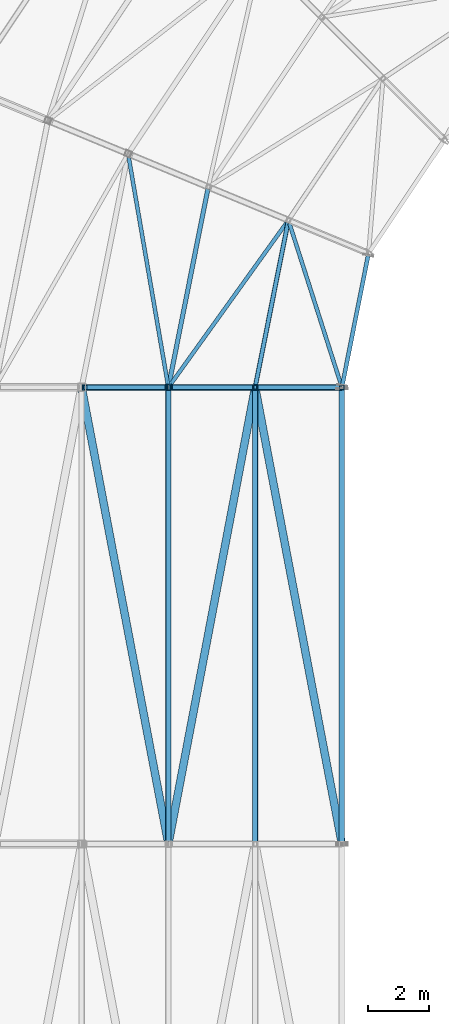
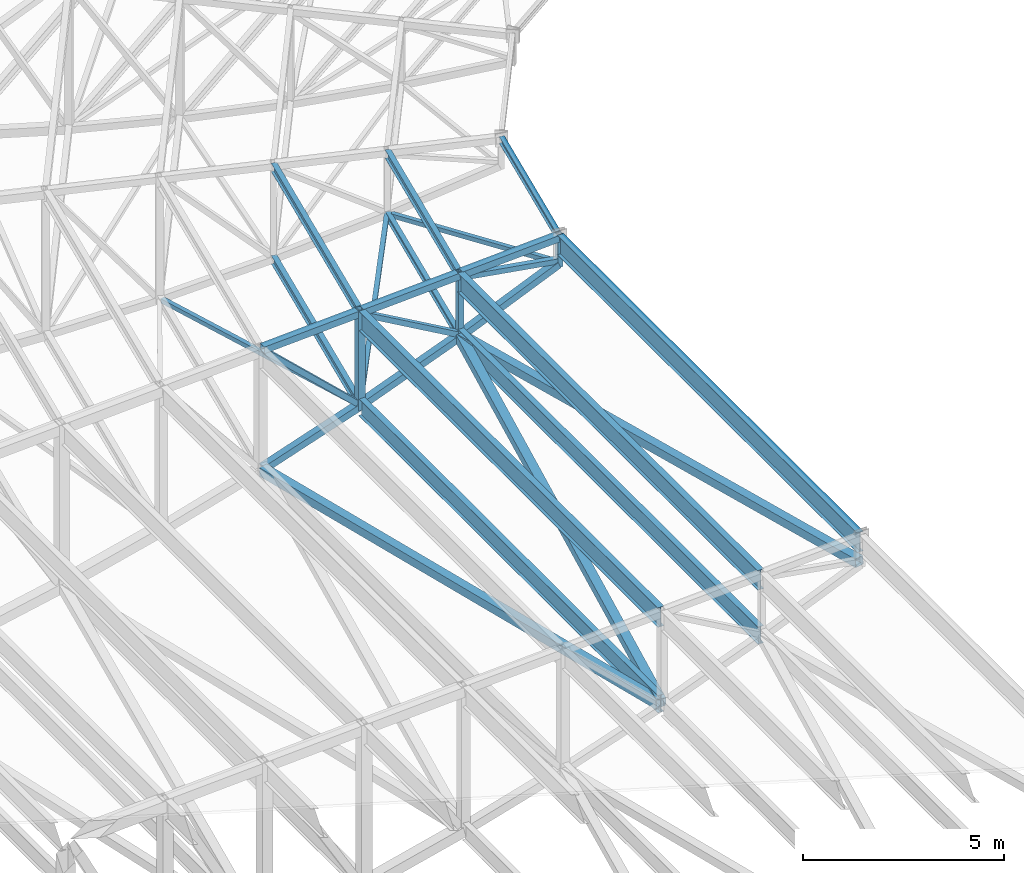
# One storey, part 66 of 278: 19 members, 9 beams.
"""IFC4 building model written with IfcOpenShell, lengths in metres."""

from ifc_helpers import new_model, si_unit, direction, frame, origin, origin_2d, place, context, subcontext, project, spatial, hollow_rectangle, i_section, extrude, material, material_profile, profile_set, type_object, element, save


model = new_model("IFC4")

# Units and contexts
model_context = context("Model", 3, precision=1e-05, world=origin(), true_north=direction((0.0, 1.0)))
body_context = subcontext(model_context, "Body", "Model", "MODEL_VIEW")
ifc_project = project(units=[si_unit("LENGTHUNIT", "METRE"), si_unit("AREAUNIT", "SQUARE_METRE"), si_unit("VOLUMEUNIT", "CUBIC_METRE"), si_unit("PLANEANGLEUNIT", "RADIAN"), si_unit("MASSUNIT", "GRAM", prefix="KILO")], contexts=[model_context])

# Site, building, storey
site_placement = place(None, origin())
site = spatial("IfcSite", under=ifc_project, at=site_placement, CompositionType="ELEMENT")
building_placement = place(site_placement, origin())
building = spatial("IfcBuilding", under=site, at=building_placement, Name="Ogive Plaza Stadium", CompositionType="ELEMENT")
storey_placement = place(building_placement, frame((0.0, 0.0, 29.0)))
storey = spatial("IfcBuildingStorey", under=building, at=storey_placement, Name="Roof", CompositionType="ELEMENT", Elevation=29.0)

# Members
ifc_material_1 = material(Name="Steel ASTM A500 Grade C", Category="steel")
ifc_material_profile_1 = material_profile(ifc_material_1, hollow_rectangle(XDim=0.25390625, YDim=0.25390625, WallThickness=0.0087890625, at=origin_2d()), Name="HSS10X10X3/8")
ifc_profile_set_1 = profile_set([ifc_material_profile_1], Name="Steel ASTM A500 Grade C")
member_type_1 = type_object("IfcMemberType", Name="Roof plan brace HSS10X10X3/8", PredefinedType="BRACE", material=ifc_profile_set_1)
member_1_placement = place(storey_placement, frame((-45.513427734375, 37.5703125, 6.520751953125), z_axis=(-0.1860644689, 0.979300227871, -0.079693645318), x_axis=(-0.982424925297, -0.186658153196, 0.0)))
element("IfcMember", 1, at=member_1_placement, inside=storey, type_object=member_type_1, Name="ROOF BRACE B27 1", PredefinedType="BRACE", context=body_context, shape_type="SweptSolid", body=[
    extrude(hollow_rectangle(XDim=0.25390625, YDim=0.25390625, WallThickness=0.0087890625, at=origin_2d()), origin(), (0.0, 0.0, 1.0), 15.173583984375),
])
member_2_placement = place(storey_placement, frame((-48.36328125, 52.4296875, 5.30078125), z_axis=(-0.18619699352, -0.979917118172, -0.071366106221), x_axis=(0.982422109195, -0.186672974385, 0.0)))
element("IfcMember", 2, at=member_2_placement, inside=storey, type_object=member_type_1, Name="ROOF BRACE B27 2", PredefinedType="BRACE", context=body_context, shape_type="SweptSolid", body=[
    extrude(hollow_rectangle(XDim=0.25390625, YDim=0.25390625, WallThickness=0.0087890625, at=origin_2d()), origin(), (0.0, 0.0, 1.0), 15.1376953125),
])
member_3_placement = place(storey_placement, frame((-51.21826171875, 37.595947265625, 4.20751953125), z_axis=(-0.186305134019, 0.980575459807, -0.061336487198), x_axis=(-0.982425223956, -0.186656581279, 0.0)))
element("IfcMember", 3, at=member_3_placement, inside=storey, type_object=member_type_1, Name="ROOF BRACE B27 3", PredefinedType="BRACE", context=body_context, shape_type="SweptSolid", body=[
    extrude(hollow_rectangle(XDim=0.25390625, YDim=0.25390625, WallThickness=0.0087890625, at=origin_2d()), origin(), (0.0, 0.0, 1.0), 15.1015625),
])
ifc_material_2 = material(Name="Steel ASTM A500 Grade C", Category="steel")
ifc_material_profile_2 = material_profile(ifc_material_2, hollow_rectangle(XDim=0.126953125, YDim=0.126953125, WallThickness=0.005859375, at=origin_2d()), Name="HSS5X5X1/4")
ifc_profile_set_2 = profile_set([ifc_material_profile_2], Name="Steel ASTM A500 Grade C")
member_type_2 = type_object("IfcMemberType", Name="Roof plan brace HSS5X5X1/4", PredefinedType="BRACE", material=ifc_profile_set_2)
member_4_placement = place(storey_placement, frame((-45.521484375, 52.56689453125, 6.51171875), z_axis=(-0.298211703001, 0.931756186308, -0.207123609157), x_axis=(-0.952409392659, -0.304821831197, 0.0)))
element("IfcMember", 4, at=member_4_placement, inside=storey, type_object=member_type_2, Name="ROOF BRACE B28 1", PredefinedType="BRACE", context=body_context, shape_type="SweptSolid", body=[
    extrude(hollow_rectangle(XDim=0.126953125, YDim=0.126953125, WallThickness=0.005859375, at=origin_2d()), origin(), (0.0, 0.0, 1.0), 5.695556640625),
])
member_5_placement = place(storey_placement, frame((-47.29443359375, 57.940185546875, 5.295654296875), z_axis=(-0.575714451742, -0.801941815002, -0.15950609834), x_axis=(0.812342279375, -0.583180950598, 0.0)))
element("IfcMember", 5, at=member_5_placement, inside=storey, type_object=member_type_2, Name="ROOF BRACE B28 2", PredefinedType="BRACE", context=body_context, shape_type="SweptSolid", body=[
    extrude(hollow_rectangle(XDim=0.126953125, YDim=0.126953125, WallThickness=0.005859375, at=origin_2d()), origin(), (0.0, 0.0, 1.0), 6.641357421875),
])
member_6_placement = place(storey_placement, frame((-51.21435546875, 52.582763671875, 4.203125), z_axis=(-0.168729355142, 0.977977485533, -0.122843162221), x_axis=(-0.985441121251, -0.170017047815, 0.0)))
element("IfcMember", 6, at=member_6_placement, inside=storey, type_object=member_type_2, Name="ROOF BRACE B28 3", PredefinedType="BRACE", context=body_context, shape_type="SweptSolid", body=[
    extrude(hollow_rectangle(XDim=0.126953125, YDim=0.126953125, WallThickness=0.005859375, at=origin_2d()), origin(), (0.0, 0.0, 1.0), 7.629638671875),
])
ifc_material_3 = material(Name="Steel ASTM A992 Grade 50", Category="steel")
ifc_material_profile_3 = material_profile(ifc_material_3, i_section(OverallWidth=0.14599609375, OverallDepth=0.25830078125, WebThickness=0.006103515625, FlangeThickness=0.009033203125, at=origin_2d()), Name="W10X22")
ifc_profile_set_3 = profile_set([ifc_material_profile_3], Name="Steel ASTM A992 Grade 50")
member_type_3 = type_object("IfcMemberType", Name="Roof plan strut W10X22", PredefinedType="STRUT", material=ifc_profile_set_3)
member_7_placement = place(storey_placement, frame((-51.182861328125, 52.58642578125, 4.213623046875), z_axis=(0.195099869772, 0.980783381188, 0.0), x_axis=(-0.980783381188, 0.195099869772, 0.0)))
element("IfcMember", 7, at=member_7_placement, inside=storey, type_object=member_type_3, Name="ROOF STRUT B28 2", PredefinedType="STRUT", context=body_context, shape_type="SweptSolid", body=[
    extrude(i_section(OverallWidth=0.14599609375, OverallDepth=0.25830078125, WebThickness=0.006103515625, FlangeThickness=0.009033203125, at=origin_2d()), origin(), (0.0, 0.0, 1.0), 6.560791015625),
])
ifc_material_4 = material(Name="Steel ASTM A992 Grade 50", Category="steel")
ifc_material_profile_4 = material_profile(ifc_material_4, i_section(OverallWidth=0.1650390625, OverallDepth=0.524658203125, WebThickness=0.0087890625, FlangeThickness=0.011474609375, at=origin_2d()), Name="W21X44")
ifc_profile_set_4 = profile_set([ifc_material_profile_4], Name="Steel ASTM A992 Grade 50")
member_type_4 = type_object("IfcMemberType", Name="Roof plan strut W21X44", PredefinedType="STRUT", material=ifc_profile_set_4)
member_8_placement = place(storey_placement, frame((-48.35009765625, 37.546142578125, 5.305908203125), z_axis=(0.0, 1.0, 0.0), x_axis=(-1.0, 0.0, 0.0)))
element("IfcMember", 8, at=member_8_placement, inside=storey, type_object=member_type_4, Name="ROOF STRUT B27 1", PredefinedType="STRUT", context=body_context, shape_type="SweptSolid", body=[
    extrude(i_section(OverallWidth=0.1650390625, OverallDepth=0.524658203125, WebThickness=0.0087890625, FlangeThickness=0.011474609375, at=origin_2d()), origin(), (0.0, 0.0, 1.0), 14.90771484375),
])
member_9_placement = place(storey_placement, frame((-51.199951171875, 37.571533203125, 4.213623046875), z_axis=(0.0, 1.0, 0.0), x_axis=(-1.0, 0.0, 0.0)))
element("IfcMember", 9, at=member_9_placement, inside=storey, type_object=member_type_4, Name="ROOF STRUT B27 2", PredefinedType="STRUT", context=body_context, shape_type="SweptSolid", body=[
    extrude(i_section(OverallWidth=0.1650390625, OverallDepth=0.524658203125, WebThickness=0.0087890625, FlangeThickness=0.011474609375, at=origin_2d()), origin(), (0.0, 0.0, 1.0), 14.85693359375),
])
ifc_material_5 = material(Name="Steel ASTM A992 Grade 50", Category="steel")
ifc_material_profile_5 = material_profile(ifc_material_5, i_section(OverallWidth=0.13330078125, OverallDepth=0.206787109375, WebThickness=0.005859375, FlangeThickness=0.00830078125, at=origin_2d()), Name="W8X18")
ifc_profile_set_5 = profile_set([ifc_material_profile_5], Name="Steel ASTM A992 Grade 50")
member_type_5 = type_object("IfcMemberType", Name="Roof plan strut W8X18", PredefinedType="STRUT", material=ifc_profile_set_5)
member_10_placement = place(storey_placement, frame((-48.338134765625, 52.559814453125, 5.305908203125), z_axis=(0.195104522491, 0.980782455646, 0.0), x_axis=(-0.980782455646, 0.195104522491, 0.0)))
element("IfcMember", 10, at=member_10_placement, inside=storey, type_object=member_type_5, Name="ROOF STRUT B28 1", PredefinedType="STRUT", context=body_context, shape_type="SweptSolid", body=[
    extrude(i_section(OverallWidth=0.13330078125, OverallDepth=0.206787109375, WebThickness=0.005859375, FlangeThickness=0.00830078125, at=origin_2d()), origin(), (0.0, 0.0, 1.0), 5.47705078125),
])
ifc_material_6 = material(Name="Steel ASTM A992 Grade 50", Category="steel")
ifc_material_profile_6 = material_profile(ifc_material_6, i_section(OverallWidth=0.14599609375, OverallDepth=0.25830078125, WebThickness=0.006103515625, FlangeThickness=0.009033203125, at=origin_2d()), Name="W10X22")
ifc_profile_set_6 = profile_set([ifc_material_profile_6], Name="Steel ASTM A992 Grade 50")
member_type_6 = type_object("IfcMemberType", Name="Roof purlin W10X22", PredefinedType="PURLIN", material=ifc_profile_set_6)
member_11_placement = place(storey_placement, frame((-48.337890625, 52.56103515625, 7.1533203125), z_axis=(0.195104062379, 0.980782547175, 0.0), x_axis=(-0.980782547175, 0.195104062379, 0.0)))
element("IfcMember", 11, at=member_11_placement, inside=storey, type_object=member_type_6, Name="ROOF PURLIN B28 1", PredefinedType="PURLIN", context=body_context, shape_type="SweptSolid", body=[
    extrude(i_section(OverallWidth=0.14599609375, OverallDepth=0.25830078125, WebThickness=0.006103515625, FlangeThickness=0.009033203125, at=origin_2d()), origin(), (0.0, 0.0, 1.0), 5.474609375),
])
member_12_placement = place(storey_placement, frame((-51.182861328125, 52.58642578125, 7.0107421875), z_axis=(0.195099869772, 0.980783381188, 0.0), x_axis=(-0.980783381188, 0.195099869772, 0.0)))
element("IfcMember", 12, at=member_12_placement, inside=storey, type_object=member_type_6, Name="ROOF PURLIN B28 2", PredefinedType="PURLIN", context=body_context, shape_type="SweptSolid", body=[
    extrude(i_section(OverallWidth=0.14599609375, OverallDepth=0.25830078125, WebThickness=0.006103515625, FlangeThickness=0.009033203125, at=origin_2d()), origin(), (0.0, 0.0, 1.0), 6.560791015625),
])
ifc_material_7 = material(Name="Steel ASTM A992 Grade 50", Category="steel")
ifc_material_profile_7 = material_profile(ifc_material_7, i_section(OverallWidth=0.177978515625, OverallDepth=0.5986328125, WebThickness=0.010009765625, FlangeThickness=0.012939453125, at=origin_2d()), Name="W24X55")
ifc_profile_set_7 = profile_set([ifc_material_profile_7], Name="Steel ASTM A992 Grade 50")
member_type_7 = type_object("IfcMemberType", Name="Roof purlin W24X55", PredefinedType="PURLIN", material=ifc_profile_set_7)
member_13_placement = place(storey_placement, frame((-48.35009765625, 37.546142578125, 6.983154296875), z_axis=(0.0, 1.0, 0.0), x_axis=(-1.0, 0.0, 0.0)))
element("IfcMember", 13, at=member_13_placement, inside=storey, type_object=member_type_7, Name="ROOF PURLIN B27 1", PredefinedType="PURLIN", context=body_context, shape_type="SweptSolid", body=[
    extrude(i_section(OverallWidth=0.177978515625, OverallDepth=0.5986328125, WebThickness=0.010009765625, FlangeThickness=0.012939453125, at=origin_2d()), origin(), (0.0, 0.0, 1.0), 14.90771484375),
])
member_14_placement = place(storey_placement, frame((-51.199951171875, 37.571533203125, 6.840576171875), z_axis=(0.0, 1.0, 0.0), x_axis=(-1.0, 0.0, 0.0)))
element("IfcMember", 14, at=member_14_placement, inside=storey, type_object=member_type_7, Name="ROOF PURLIN B27 2", PredefinedType="PURLIN", context=body_context, shape_type="SweptSolid", body=[
    extrude(i_section(OverallWidth=0.177978515625, OverallDepth=0.5986328125, WebThickness=0.010009765625, FlangeThickness=0.012939453125, at=origin_2d()), origin(), (0.0, 0.0, 1.0), 14.85693359375),
])
ifc_material_8 = material(Name="Steel ASTM A992 Grade 50", Category="steel")
ifc_material_profile_8 = material_profile(ifc_material_8, i_section(OverallWidth=0.177978515625, OverallDepth=0.5986328125, WebThickness=0.010009765625, FlangeThickness=0.012939453125, at=origin_2d()), Name="W24X55")
ifc_profile_set_8 = profile_set([ifc_material_profile_8], Name="Steel ASTM A992 Grade 50")
member_type_8 = type_object("IfcMemberType", Name="Roof tip ring beam W24X55", PredefinedType="MEMBER", material=ifc_profile_set_8)
member_15_placement = place(storey_placement, frame((-45.5, 37.546142578125, 7.125732421875), z_axis=(0.0, 1.0, 0.0), x_axis=(-1.0, 0.0, 0.0)))
element("IfcMember", 15, at=member_15_placement, inside=storey, type_object=member_type_8, Name="RING BEAM B27", PredefinedType="MEMBER", context=body_context, shape_type="SweptSolid", body=[
    extrude(i_section(OverallWidth=0.177978515625, OverallDepth=0.5986328125, WebThickness=0.010009765625, FlangeThickness=0.012939453125, at=origin_2d()), origin(), (0.0, 0.0, 1.0), 14.90771484375),
])
ifc_material_9 = material(Name="Steel ASTM A992 Grade 50", Category="steel")
ifc_material_profile_9 = material_profile(ifc_material_9, i_section(OverallWidth=0.13330078125, OverallDepth=0.206787109375, WebThickness=0.005859375, FlangeThickness=0.00830078125, at=origin_2d()), Name="W8X18")
ifc_profile_set_9 = profile_set([ifc_material_profile_9], Name="Steel ASTM A992 Grade 50")
member_type_9 = type_object("IfcMemberType", Name="Roof tip ring beam W8X18", PredefinedType="MEMBER", material=ifc_profile_set_9)
member_16_placement = place(storey_placement, frame((-45.488037109375, 52.559814453125, 7.321533203125), z_axis=(0.195083474499, 0.980786642434, 0.0), x_axis=(-0.980786642434, 0.195083474499, 0.0)))
element("IfcMember", 16, at=member_16_placement, inside=storey, type_object=member_type_9, Name="RING BEAM B28", PredefinedType="MEMBER", context=body_context, shape_type="SweptSolid", body=[
    extrude(i_section(OverallWidth=0.13330078125, OverallDepth=0.206787109375, WebThickness=0.005859375, FlangeThickness=0.00830078125, at=origin_2d()), origin(), (0.0, 0.0, 1.0), 4.365234375),
])

# Beams
ifc_material_10 = material(Name="Steel ASTM A500 Grade C", Category="steel")
ifc_material_profile_10 = material_profile(ifc_material_10, hollow_rectangle(XDim=0.203125, YDim=0.203125, WallThickness=0.01171875, at=origin_2d()), Name="HSS8X8X1/2")
ifc_profile_set_10 = profile_set([ifc_material_profile_10], Name="Steel ASTM A500 Grade C")
beam_type_1 = type_object("IfcBeamType", Name="Roof truss bottom chord HSS8X8X1/2", PredefinedType="BEAM", material=ifc_profile_set_10)
beam_1_placement = place(storey_placement, frame((-45.5400390625, 52.5, 6.518310546875), z_axis=(-0.919215459426, 0.0, -0.393754922702), x_axis=(0.0, -1.0, 0.0)))
element("IfcBeam", 17, at=beam_1_placement, inside=storey, type_object=beam_type_1, Name="ROOF TRUSS T28 BOTTOM CHORD 1", PredefinedType="BEAM", context=body_context, shape_type="SweptSolid", body=[
    extrude(hollow_rectangle(XDim=0.203125, YDim=0.203125, WallThickness=0.01171875, at=origin_2d()), origin(), (0.0, 0.0, 1.0), 3.04736328125),
])
beam_2_placement = place(storey_placement, frame((-48.386474609375, 52.5, 5.299072265625), z_axis=(-0.933780874892, 0.0, -0.357845326484), x_axis=(0.0, -1.0, 0.0)))
element("IfcBeam", 18, at=beam_2_placement, inside=storey, type_object=beam_type_1, Name="ROOF TRUSS T28 BOTTOM CHORD 2", PredefinedType="BEAM", context=body_context, shape_type="SweptSolid", body=[
    extrude(hollow_rectangle(XDim=0.203125, YDim=0.203125, WallThickness=0.01171875, at=origin_2d()), origin(), (0.0, 0.0, 1.0), 2.97314453125),
])
beam_3_placement = place(storey_placement, frame((-51.24072265625, 52.5, 4.20556640625), z_axis=(-0.947299736415, 0.0, -0.320348574817), x_axis=(0.0, -1.0, 0.0)))
element("IfcBeam", 19, at=beam_3_placement, inside=storey, type_object=beam_type_1, Name="ROOF TRUSS T28 BOTTOM CHORD 3", PredefinedType="BEAM", context=body_context, shape_type="SweptSolid", body=[
    extrude(hollow_rectangle(XDim=0.203125, YDim=0.203125, WallThickness=0.01171875, at=origin_2d()), origin(), (0.0, 0.0, 1.0), 2.912841796875),
])

# Members
ifc_material_11 = material(Name="Steel ASTM A500 Grade C", Category="steel")
ifc_material_profile_11 = material_profile(ifc_material_11, hollow_rectangle(XDim=0.15234375, YDim=0.15234375, WallThickness=0.005859375, at=origin_2d()), Name="HSS6X6X1/4")
ifc_profile_set_11 = profile_set([ifc_material_profile_11], Name="Steel ASTM A500 Grade C")
member_type_10 = type_object("IfcMemberType", Name="Roof truss diagonal HSS6X6X1/4", PredefinedType="BRACE", material=ifc_profile_set_11)
member_17_placement = place(storey_placement, frame((-45.576171875, 52.5, 6.628173828125), z_axis=(-0.986299671123, 0.0, 0.164963507307), x_axis=(0.0, -1.0, 0.0)))
element("IfcMember", 20, at=member_17_placement, inside=storey, type_object=member_type_10, Name="ROOF TRUSS T28 DIAGONAL 1", PredefinedType="BRACE", context=body_context, shape_type="SweptSolid", body=[
    extrude(hollow_rectangle(XDim=0.15234375, YDim=0.15234375, WallThickness=0.005859375, at=origin_2d()), origin(), (0.0, 0.0, 1.0), 2.73486328125),
])
member_18_placement = place(storey_placement, frame((-48.42626953125, 52.5, 5.407470703125), z_axis=(-0.8679111184, 0.0, 0.496719529069), x_axis=(0.0, -1.0, 0.0)))
element("IfcMember", 21, at=member_18_placement, inside=storey, type_object=member_type_10, Name="ROOF TRUSS T28 DIAGONAL 2", PredefinedType="BRACE", context=body_context, shape_type="SweptSolid", body=[
    extrude(hollow_rectangle(XDim=0.15234375, YDim=0.15234375, WallThickness=0.005859375, at=origin_2d()), origin(), (0.0, 0.0, 1.0), 3.078857421875),
])
ifc_material_12 = material(Name="Steel ASTM A500 Grade C", Category="steel")
ifc_material_profile_12 = material_profile(ifc_material_12, hollow_rectangle(XDim=0.15234375, YDim=0.15234375, WallThickness=0.0087890625, at=origin_2d()), Name="HSS6X6X3/8")
ifc_profile_set_12 = profile_set([ifc_material_profile_12], Name="Steel ASTM A500 Grade C")
member_type_11 = type_object("IfcMemberType", Name="Roof truss diagonal HSS6X6X3/8", PredefinedType="BRACE", material=ifc_profile_set_12)
member_19_placement = place(storey_placement, frame((-51.301513671875, 52.5, 4.315185546875), z_axis=(-0.726588919749, 0.0, 0.687072442832), x_axis=(0.0, -1.0, 0.0)))
element("IfcMember", 22, at=member_19_placement, inside=storey, type_object=member_type_11, Name="ROOF TRUSS T28 DIAGONAL 3", PredefinedType="BRACE", context=body_context, shape_type="SweptSolid", body=[
    extrude(hollow_rectangle(XDim=0.15234375, YDim=0.15234375, WallThickness=0.0087890625, at=origin_2d()), origin(), (0.0, 0.0, 1.0), 3.608154296875),
])

# Beams
ifc_material_13 = material(Name="Steel ASTM A500 Grade C", Category="steel")
ifc_material_profile_13 = material_profile(ifc_material_13, hollow_rectangle(XDim=0.15234375, YDim=0.15234375, WallThickness=0.0087890625, at=origin_2d()), Name="HSS6X6X3/8")
ifc_profile_set_13 = profile_set([ifc_material_profile_13], Name="Steel ASTM A500 Grade C")
beam_type_2 = type_object("IfcBeamType", Name="Roof truss post HSS6X6X3/8", PredefinedType="BEAM", material=ifc_profile_set_13)
beam_4_placement = place(storey_placement, frame((-45.5, 52.5, 6.425048828125), z_axis=(0.0, 0.0, 1.0), x_axis=(0.0, -1.0, 0.0)))
element("IfcBeam", 23, at=beam_4_placement, inside=storey, type_object=beam_type_2, Name="ROOF TRUSS T28 POST 1", PredefinedType="BEAM", context=body_context, shape_type="SweptSolid", body=[
    extrude(hollow_rectangle(XDim=0.15234375, YDim=0.15234375, WallThickness=0.0087890625, at=origin_2d()), origin(), (0.0, 0.0, 1.0), 1.0),
])
beam_5_placement = place(storey_placement, frame((-48.35009765625, 52.5, 5.204345703125), z_axis=(0.0, 0.0, 1.0), x_axis=(0.0, -1.0, 0.0)))
element("IfcBeam", 24, at=beam_5_placement, inside=storey, type_object=beam_type_2, Name="ROOF TRUSS T28 POST 2", PredefinedType="BEAM", context=body_context, shape_type="SweptSolid", body=[
    extrude(hollow_rectangle(XDim=0.15234375, YDim=0.15234375, WallThickness=0.0087890625, at=origin_2d()), origin(), (0.0, 0.0, 1.0), 2.078125),
])
ifc_material_14 = material(Name="Steel ASTM A500 Grade C", Category="steel")
ifc_material_profile_14 = material_profile(ifc_material_14, hollow_rectangle(XDim=0.203125, YDim=0.203125, WallThickness=0.0087890625, at=origin_2d()), Name="HSS8X8X3/8")
ifc_profile_set_14 = profile_set([ifc_material_profile_14], Name="Steel ASTM A500 Grade C")
beam_type_3 = type_object("IfcBeamType", Name="Roof truss post HSS8X8X3/8", PredefinedType="BEAM", material=ifc_profile_set_14)
beam_6_placement = place(storey_placement, frame((-51.199951171875, 52.5, 4.112060546875), z_axis=(0.0, 0.0, 1.0), x_axis=(0.0, -1.0, 0.0)))
element("IfcBeam", 25, at=beam_6_placement, inside=storey, type_object=beam_type_3, Name="ROOF TRUSS T28 POST 3", PredefinedType="BEAM", context=body_context, shape_type="SweptSolid", body=[
    extrude(hollow_rectangle(XDim=0.203125, YDim=0.203125, WallThickness=0.0087890625, at=origin_2d()), origin(), (0.0, 0.0, 1.0), 3.02783203125),
])
ifc_material_15 = material(Name="Steel ASTM A500 Grade C", Category="steel")
ifc_material_profile_15 = material_profile(ifc_material_15, hollow_rectangle(XDim=0.203125, YDim=0.203125, WallThickness=0.0087890625, at=origin_2d()), Name="HSS8X8X3/8")
ifc_profile_set_15 = profile_set([ifc_material_profile_15], Name="Steel ASTM A500 Grade C")
beam_type_4 = type_object("IfcBeamType", Name="Roof truss top chord HSS8X8X3/8", PredefinedType="BEAM", material=ifc_profile_set_15)
beam_7_placement = place(storey_placement, frame((-45.541259765625, 52.5, 7.3212890625), z_axis=(-0.998751459876, 0.0, -0.049955193873), x_axis=(0.0, -1.0, 0.0)))
element("IfcBeam", 26, at=beam_7_placement, inside=storey, type_object=beam_type_4, Name="ROOF TRUSS T28 TOP CHORD 1", PredefinedType="BEAM", context=body_context, shape_type="SweptSolid", body=[
    extrude(hollow_rectangle(XDim=0.203125, YDim=0.203125, WallThickness=0.0087890625, at=origin_2d()), origin(), (0.0, 0.0, 1.0), 2.77099609375),
])
beam_8_placement = place(storey_placement, frame((-48.39111328125, 52.5, 7.1787109375), z_axis=(-0.998752338878, 0.0, -0.049937616944), x_axis=(0.0, -1.0, 0.0)))
element("IfcBeam", 27, at=beam_8_placement, inside=storey, type_object=beam_type_4, Name="ROOF TRUSS T28 TOP CHORD 2", PredefinedType="BEAM", context=body_context, shape_type="SweptSolid", body=[
    extrude(hollow_rectangle(XDim=0.203125, YDim=0.203125, WallThickness=0.0087890625, at=origin_2d()), origin(), (0.0, 0.0, 1.0), 2.76220703125),
])
beam_9_placement = place(storey_placement, frame((-51.25, 52.5, 7.035888671875), z_axis=(-0.998748798523, 0.0, -0.05000837379), x_axis=(0.0, -1.0, 0.0)))
element("IfcBeam", 28, at=beam_9_placement, inside=storey, type_object=beam_type_4, Name="ROOF TRUSS T28 TOP CHORD 3", PredefinedType="BEAM", context=body_context, shape_type="SweptSolid", body=[
    extrude(hollow_rectangle(XDim=0.203125, YDim=0.203125, WallThickness=0.0087890625, at=origin_2d()), origin(), (0.0, 0.0, 1.0), 2.75341796875),
])

save(model, "model.ifc")
